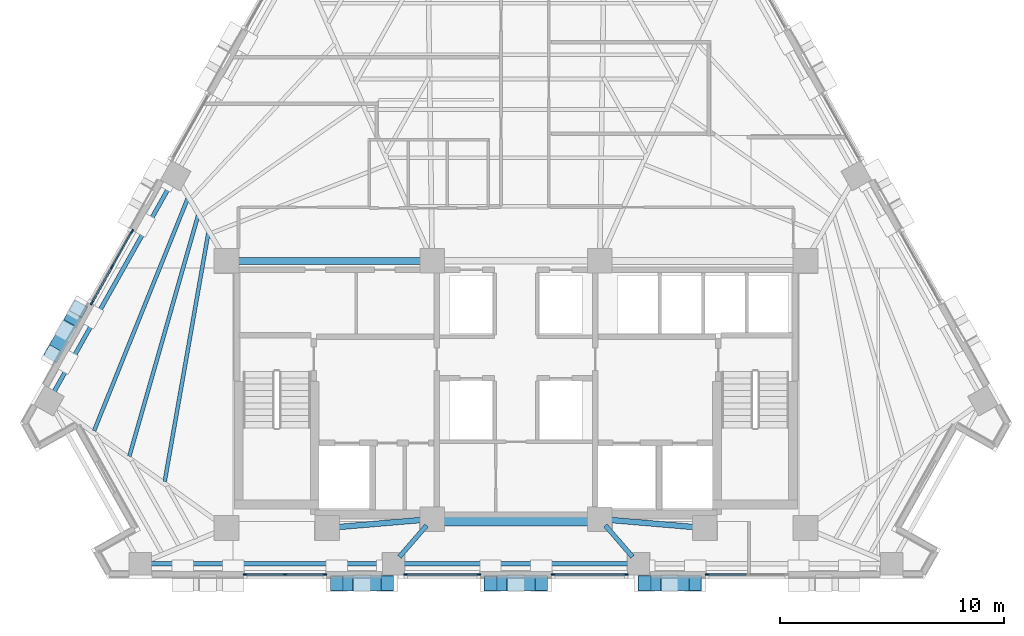
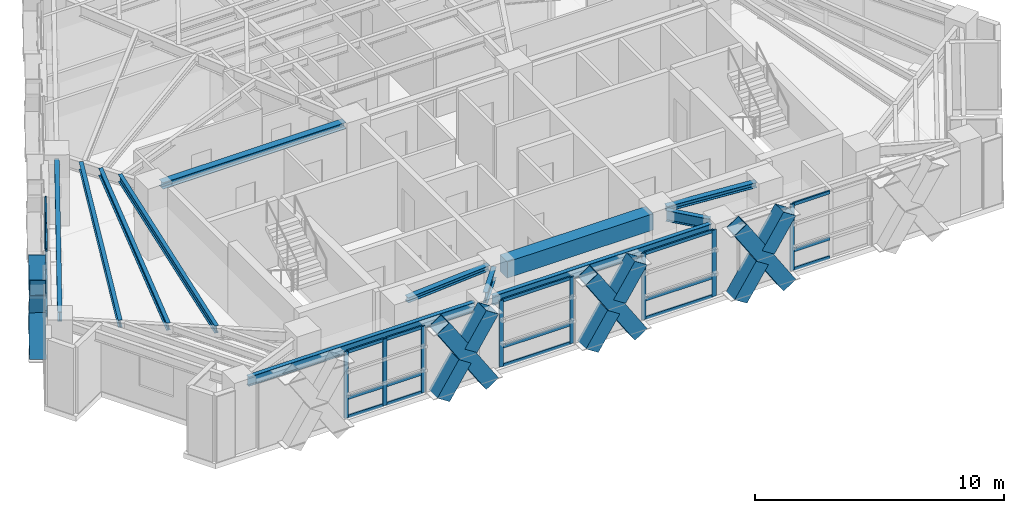
# One storey, part 2 of 14: 44 members, 12 beams, 5 elements without a shape of their own.
"""IFC4 building model written with IfcOpenShell, lengths in metres."""

from ifc_helpers import new_model, si_unit, direction, frame, origin, origin_2d, place, context, subcontext, project, spatial, rectangle, hollow_rectangle, i_section, extrude, material, material_profile, profile_set, type_object, element, aggregate, save


model = new_model("IFC4")

# Units and contexts
model_context = context("Model", 3, precision=1e-05, world=origin(), true_north=direction((0.0, 1.0)))
body_context = subcontext(model_context, "Body", "Model", "MODEL_VIEW")
ifc_project = project(units=[si_unit("LENGTHUNIT", "METRE"), si_unit("AREAUNIT", "SQUARE_METRE"), si_unit("VOLUMEUNIT", "CUBIC_METRE"), si_unit("PLANEANGLEUNIT", "RADIAN"), si_unit("MASSUNIT", "GRAM", prefix="KILO")], contexts=[model_context])

# Site, building, storey
site_placement = place(None, origin())
site = spatial("IfcSite", under=ifc_project, at=site_placement, CompositionType="ELEMENT")
building_placement = place(site_placement, origin())
building = spatial("IfcBuilding", under=site, at=building_placement, Name="Quenlor Broadcast Tower", CompositionType="ELEMENT")
storey_placement = place(building_placement, frame((0.0, 0.0, 133.5)))
storey = spatial("IfcBuildingStorey", under=building, at=storey_placement, Name="L36", CompositionType="ELEMENT", Elevation=133.5)

# Curtain wall, member
ifc_material_1 = material(Name="Architectural Terracotta and Low-E Glazing", Category="masonry")
curtain_wall_type = type_object("IfcCurtainWallType", Name="Unitised Terracotta Curtain Wall System Z3", PredefinedType="NOTDEFINED", material=ifc_material_1)
curtain_wall_1_placement = place(storey_placement, origin())
curtain_wall_1 = element("IfcCurtainWall", 1, at=curtain_wall_1_placement, inside=storey, type_object=curtain_wall_type, Name="L36 Curtain Wall CW3 (L36-SA-G1)", PredefinedType="NOTDEFINED")
ifc_material_2 = material(Name="Aluminium 6063-T6", Category="aluminium")
ifc_material_profile_1 = material_profile(ifc_material_2, rectangle(XDim=0.070068359375, YDim=0.18994140625, at=origin_2d()))
ifc_profile_set_1 = profile_set([ifc_material_profile_1], Name="Aluminium 6063-T6 MULL70x190")
member_type_1 = type_object("IfcMemberType", Name="CW3 Aluminium Mullion MULL_CW3", PredefinedType="MULLION", material=ifc_profile_set_1)
member_1_placement = place(storey_placement, frame((8.550048828125, -18.824951171875, 0.0), z_axis=(0.0, 0.0, 1.0), x_axis=(0.0, -1.0, 0.0)))
member_1 = element("IfcMember", 2, at=member_1_placement, type_object=member_type_1, Name="CW3 mullion 3", PredefinedType="MULLION", context=body_context, shape_type="SweptSolid", body=[
    extrude(rectangle(XDim=0.070068359375, YDim=0.18994140625, at=origin_2d()), origin(), (0.0, 0.0, 1.0), 3.25),
])

# Curtain wall, members
curtain_wall_2_placement = place(storey_placement, origin())
curtain_wall_2 = element("IfcCurtainWall", 3, at=curtain_wall_2_placement, inside=storey, type_object=curtain_wall_type, Name="L36 Curtain Wall CW3 (L36-SC-G1)", PredefinedType="NOTDEFINED")
member_2_placement = place(storey_placement, frame((-8.550048828125, -18.824951171875, 0.0), z_axis=(0.0, 0.0, 1.0), x_axis=(0.0, -1.0, 0.0)))
member_2 = element("IfcMember", 4, at=member_2_placement, type_object=member_type_1, Name="CW3 mullion 1", PredefinedType="MULLION", context=body_context, shape_type="SweptSolid", body=[
    extrude(rectangle(XDim=0.070068359375, YDim=0.18994140625, at=origin_2d()), origin(), (0.0, 0.0, 1.0), 3.25),
])
member_3_placement = place(storey_placement, frame((-10.33203125, -18.824951171875, 0.0), z_axis=(0.0, 0.0, 1.0), x_axis=(0.0, -1.0, 0.0)))
member_3 = element("IfcMember", 5, at=member_3_placement, type_object=member_type_1, Name="CW3 mullion 2", PredefinedType="MULLION", context=body_context, shape_type="SweptSolid", body=[
    extrude(rectangle(XDim=0.070068359375, YDim=0.18994140625, at=origin_2d()), origin(), (0.0, 0.0, 1.0), 3.25),
])
member_4_placement = place(storey_placement, frame((-12.114013671875, -18.824951171875, 0.0), z_axis=(0.0, 0.0, 1.0), x_axis=(0.0, -1.0, 0.0)))
member_4 = element("IfcMember", 6, at=member_4_placement, type_object=member_type_1, Name="CW3 mullion 3", PredefinedType="MULLION", context=body_context, shape_type="SweptSolid", body=[
    extrude(rectangle(XDim=0.070068359375, YDim=0.18994140625, at=origin_2d()), origin(), (0.0, 0.0, 1.0), 3.25),
])

curtain_wall_3_placement = place(storey_placement, origin())
curtain_wall_3 = element("IfcCurtainWall", 7, at=curtain_wall_3_placement, inside=storey, type_object=curtain_wall_type, Name="L36 Curtain Wall CW3 (L36-S-G1)", PredefinedType="NOTDEFINED")
member_5_placement = place(storey_placement, frame((4.926025390625, -18.824951171875, 0.0), z_axis=(0.0, 0.0, 1.0), x_axis=(0.0, -1.0, 0.0)))
member_5 = element("IfcMember", 8, at=member_5_placement, type_object=member_type_1, Name="CW3 mullion 1", PredefinedType="MULLION", context=body_context, shape_type="SweptSolid", body=[
    extrude(rectangle(XDim=0.070068359375, YDim=0.18994140625, at=origin_2d()), origin(), (0.0, 0.0, 1.0), 3.25),
])
member_6_placement = place(storey_placement, frame((1.662109375, -18.824951171875, 0.0), z_axis=(0.0, 0.0, 1.0), x_axis=(0.0, -1.0, 0.0)))
member_6 = element("IfcMember", 9, at=member_6_placement, type_object=member_type_1, Name="CW3 mullion 2", PredefinedType="MULLION", context=body_context, shape_type="SweptSolid", body=[
    extrude(rectangle(XDim=0.070068359375, YDim=0.18994140625, at=origin_2d()), origin(), (0.0, 0.0, 1.0), 3.25),
])

curtain_wall_4_placement = place(storey_placement, origin())
curtain_wall_4 = element("IfcCurtainWall", 10, at=curtain_wall_4_placement, inside=storey, type_object=curtain_wall_type, Name="L36 Curtain Wall CW3 (L36-S-G2)", PredefinedType="NOTDEFINED")
member_7_placement = place(storey_placement, frame((-1.662109375, -18.824951171875, 0.0), z_axis=(0.0, 0.0, 1.0), x_axis=(0.0, -1.0, 0.0)))
member_7 = element("IfcMember", 11, at=member_7_placement, type_object=member_type_1, Name="CW3 mullion 1", PredefinedType="MULLION", context=body_context, shape_type="SweptSolid", body=[
    extrude(rectangle(XDim=0.070068359375, YDim=0.18994140625, at=origin_2d()), origin(), (0.0, 0.0, 1.0), 3.25),
])
member_8_placement = place(storey_placement, frame((-4.926025390625, -18.824951171875, 0.0), z_axis=(0.0, 0.0, 1.0), x_axis=(0.0, -1.0, 0.0)))
member_8 = element("IfcMember", 12, at=member_8_placement, type_object=member_type_1, Name="CW3 mullion 2", PredefinedType="MULLION", context=body_context, shape_type="SweptSolid", body=[
    extrude(rectangle(XDim=0.070068359375, YDim=0.18994140625, at=origin_2d()), origin(), (0.0, 0.0, 1.0), 3.25),
])

curtain_wall_5_placement = place(storey_placement, origin())
curtain_wall_5 = element("IfcCurtainWall", 13, at=curtain_wall_5_placement, inside=storey, type_object=curtain_wall_type, Name="L36 Curtain Wall CW3 (L36-NWA-G1)", PredefinedType="NOTDEFINED")
member_9_placement = place(storey_placement, frame((-18.9677734375, -6.677490234375, 0.0), z_axis=(0.0, 0.0, 1.0), x_axis=(-0.871576967495, 0.490258696743, 0.0)))
member_9 = element("IfcMember", 14, at=member_9_placement, type_object=member_type_1, Name="CW3 mullion 1", PredefinedType="MULLION", context=body_context, shape_type="SweptSolid", body=[
    extrude(rectangle(XDim=0.070068359375, YDim=0.18994140625, at=origin_2d()), origin(), (0.0, 0.0, 1.0), 3.25),
])
member_10_placement = place(storey_placement, frame((-18.069580078125, -5.080810546875, 0.0), z_axis=(0.0, 0.0, 1.0), x_axis=(-0.871576967495, 0.490258696743, 0.0)))
member_10 = element("IfcMember", 15, at=member_10_placement, type_object=member_type_1, Name="CW3 mullion 2", PredefinedType="MULLION", context=body_context, shape_type="SweptSolid", body=[
    extrude(rectangle(XDim=0.070068359375, YDim=0.18994140625, at=origin_2d()), origin(), (0.0, 0.0, 1.0), 3.25),
])
member_11_placement = place(storey_placement, frame((-17.17138671875, -3.48388671875, 0.0), z_axis=(0.0, 0.0, 1.0), x_axis=(-0.871576967495, 0.490258696743, 0.0)))
member_11 = element("IfcMember", 16, at=member_11_placement, type_object=member_type_1, Name="CW3 mullion 3", PredefinedType="MULLION", context=body_context, shape_type="SweptSolid", body=[
    extrude(rectangle(XDim=0.070068359375, YDim=0.18994140625, at=origin_2d()), origin(), (0.0, 0.0, 1.0), 3.25),
])

# Member
ifc_material_3 = material(Name="Aluminium 6063-T6", Category="aluminium")
ifc_material_profile_2 = material_profile(ifc_material_3, rectangle(XDim=0.070068359375, YDim=0.155029296875, at=origin_2d()))
ifc_profile_set_2 = profile_set([ifc_material_profile_2], Name="Aluminium 6063-T6 TRAN70x155")
member_type_2 = type_object("IfcMemberType", Name="CW3 Aluminium Transom TRAN_CW3", PredefinedType="USERDEFINED", material=ifc_profile_set_2)
member_12_placement = place(storey_placement, frame((10.297119140625, -18.824951171875, 0.034912109375), z_axis=(-1.0, 0.0, 0.0), x_axis=(0.0, -1.0, 0.0)))
member_12 = element("IfcMember", 17, at=member_12_placement, type_object=member_type_2, Name="CW3 transom 2.1", ObjectType="TRANSOM", PredefinedType="USERDEFINED", context=body_context, shape_type="SweptSolid", body=[
    extrude(rectangle(XDim=0.070068359375, YDim=0.155029296875, at=origin_2d()), origin(), (0.0, 0.0, 1.0), 1.712158203125),
])

member_13_placement = place(storey_placement, frame((10.297119140625, -18.824951171875, 0.949951171875), z_axis=(-1.0, 0.0, 0.0), x_axis=(0.0, -1.0, 0.0)))
member_13 = element("IfcMember", 18, at=member_13_placement, type_object=member_type_2, Name="CW3 transom 2.2", ObjectType="TRANSOM", PredefinedType="USERDEFINED", context=body_context, shape_type="SweptSolid", body=[
    extrude(rectangle(XDim=0.070068359375, YDim=0.155029296875, at=origin_2d()), origin(), (0.0, 0.0, 1.0), 1.712158203125),
])

member_14_placement = place(storey_placement, frame((10.297119140625, -18.824951171875, 3.215087890625), z_axis=(-1.0, 0.0, 0.0), x_axis=(0.0, -1.0, 0.0)))
member_14 = element("IfcMember", 19, at=member_14_placement, type_object=member_type_2, Name="CW3 transom 2.3", ObjectType="TRANSOM", PredefinedType="USERDEFINED", context=body_context, shape_type="SweptSolid", body=[
    extrude(rectangle(XDim=0.070068359375, YDim=0.155029296875, at=origin_2d()), origin(), (0.0, 0.0, 1.0), 1.712158203125),
])

aggregate(curtain_wall_1, [member_1, member_12, member_13, member_14])

member_15_placement = place(storey_placement, frame((-8.5849609375, -18.824951171875, 0.034912109375), z_axis=(-1.0, 0.0, 0.0), x_axis=(0.0, -1.0, 0.0)))
member_15 = element("IfcMember", 20, at=member_15_placement, type_object=member_type_2, Name="CW3 transom 1.1", ObjectType="TRANSOM", PredefinedType="USERDEFINED", context=body_context, shape_type="SweptSolid", body=[
    extrude(rectangle(XDim=0.070068359375, YDim=0.155029296875, at=origin_2d()), origin(), (0.0, 0.0, 1.0), 1.712158203125),
])

member_16_placement = place(storey_placement, frame((-8.5849609375, -18.824951171875, 0.949951171875), z_axis=(-1.0, 0.0, 0.0), x_axis=(0.0, -1.0, 0.0)))
member_16 = element("IfcMember", 21, at=member_16_placement, type_object=member_type_2, Name="CW3 transom 1.2", ObjectType="TRANSOM", PredefinedType="USERDEFINED", context=body_context, shape_type="SweptSolid", body=[
    extrude(rectangle(XDim=0.070068359375, YDim=0.155029296875, at=origin_2d()), origin(), (0.0, 0.0, 1.0), 1.712158203125),
])

member_17_placement = place(storey_placement, frame((-8.5849609375, -18.824951171875, 3.215087890625), z_axis=(-1.0, 0.0, 0.0), x_axis=(0.0, -1.0, 0.0)))
member_17 = element("IfcMember", 22, at=member_17_placement, type_object=member_type_2, Name="CW3 transom 1.3", ObjectType="TRANSOM", PredefinedType="USERDEFINED", context=body_context, shape_type="SweptSolid", body=[
    extrude(rectangle(XDim=0.070068359375, YDim=0.155029296875, at=origin_2d()), origin(), (0.0, 0.0, 1.0), 1.712158203125),
])

member_18_placement = place(storey_placement, frame((-10.366943359375, -18.824951171875, 0.034912109375), z_axis=(-1.0, 0.0, 0.0), x_axis=(0.0, -1.0, 0.0)))
member_18 = element("IfcMember", 23, at=member_18_placement, type_object=member_type_2, Name="CW3 transom 2.1", ObjectType="TRANSOM", PredefinedType="USERDEFINED", context=body_context, shape_type="SweptSolid", body=[
    extrude(rectangle(XDim=0.070068359375, YDim=0.155029296875, at=origin_2d()), origin(), (0.0, 0.0, 1.0), 1.712158203125),
])

member_19_placement = place(storey_placement, frame((-10.366943359375, -18.824951171875, 0.949951171875), z_axis=(-1.0, 0.0, 0.0), x_axis=(0.0, -1.0, 0.0)))
member_19 = element("IfcMember", 24, at=member_19_placement, type_object=member_type_2, Name="CW3 transom 2.2", ObjectType="TRANSOM", PredefinedType="USERDEFINED", context=body_context, shape_type="SweptSolid", body=[
    extrude(rectangle(XDim=0.070068359375, YDim=0.155029296875, at=origin_2d()), origin(), (0.0, 0.0, 1.0), 1.712158203125),
])

member_20_placement = place(storey_placement, frame((-10.366943359375, -18.824951171875, 3.215087890625), z_axis=(-1.0, 0.0, 0.0), x_axis=(0.0, -1.0, 0.0)))
member_20 = element("IfcMember", 25, at=member_20_placement, type_object=member_type_2, Name="CW3 transom 2.3", ObjectType="TRANSOM", PredefinedType="USERDEFINED", context=body_context, shape_type="SweptSolid", body=[
    extrude(rectangle(XDim=0.070068359375, YDim=0.155029296875, at=origin_2d()), origin(), (0.0, 0.0, 1.0), 1.712158203125),
])

aggregate(curtain_wall_2, [member_2, member_3, member_4, member_15, member_16, member_17, member_18, member_19, member_20])

member_21_placement = place(storey_placement, frame((4.89111328125, -18.824951171875, 0.034912109375), z_axis=(-1.0, 0.0, 0.0), x_axis=(0.0, -1.0, 0.0)))
member_21 = element("IfcMember", 26, at=member_21_placement, type_object=member_type_2, Name="CW3 transom 1.1", ObjectType="TRANSOM", PredefinedType="USERDEFINED", context=body_context, shape_type="SweptSolid", body=[
    extrude(rectangle(XDim=0.070068359375, YDim=0.155029296875, at=origin_2d()), origin(), (0.0, 0.0, 1.0), 3.194091796875),
])

member_22_placement = place(storey_placement, frame((4.89111328125, -18.824951171875, 0.949951171875), z_axis=(-1.0, 0.0, 0.0), x_axis=(0.0, -1.0, 0.0)))
member_22 = element("IfcMember", 27, at=member_22_placement, type_object=member_type_2, Name="CW3 transom 1.2", ObjectType="TRANSOM", PredefinedType="USERDEFINED", context=body_context, shape_type="SweptSolid", body=[
    extrude(rectangle(XDim=0.070068359375, YDim=0.155029296875, at=origin_2d()), origin(), (0.0, 0.0, 1.0), 3.194091796875),
])

member_23_placement = place(storey_placement, frame((4.89111328125, -18.824951171875, 3.215087890625), z_axis=(-1.0, 0.0, 0.0), x_axis=(0.0, -1.0, 0.0)))
member_23 = element("IfcMember", 28, at=member_23_placement, type_object=member_type_2, Name="CW3 transom 1.3", ObjectType="TRANSOM", PredefinedType="USERDEFINED", context=body_context, shape_type="SweptSolid", body=[
    extrude(rectangle(XDim=0.070068359375, YDim=0.155029296875, at=origin_2d()), origin(), (0.0, 0.0, 1.0), 3.194091796875),
])

aggregate(curtain_wall_3, [member_5, member_6, member_21, member_22, member_23])

member_24_placement = place(storey_placement, frame((-1.697021484375, -18.824951171875, 0.034912109375), z_axis=(-1.0, 0.0, 0.0), x_axis=(0.0, -1.0, 0.0)))
member_24 = element("IfcMember", 29, at=member_24_placement, type_object=member_type_2, Name="CW3 transom 1.1", ObjectType="TRANSOM", PredefinedType="USERDEFINED", context=body_context, shape_type="SweptSolid", body=[
    extrude(rectangle(XDim=0.070068359375, YDim=0.155029296875, at=origin_2d()), origin(), (0.0, 0.0, 1.0), 3.194091796875),
])

member_25_placement = place(storey_placement, frame((-1.697021484375, -18.824951171875, 0.949951171875), z_axis=(-1.0, 0.0, 0.0), x_axis=(0.0, -1.0, 0.0)))
member_25 = element("IfcMember", 30, at=member_25_placement, type_object=member_type_2, Name="CW3 transom 1.2", ObjectType="TRANSOM", PredefinedType="USERDEFINED", context=body_context, shape_type="SweptSolid", body=[
    extrude(rectangle(XDim=0.070068359375, YDim=0.155029296875, at=origin_2d()), origin(), (0.0, 0.0, 1.0), 3.194091796875),
])

member_26_placement = place(storey_placement, frame((-1.697021484375, -18.824951171875, 3.215087890625), z_axis=(-1.0, 0.0, 0.0), x_axis=(0.0, -1.0, 0.0)))
member_26 = element("IfcMember", 31, at=member_26_placement, type_object=member_type_2, Name="CW3 transom 1.3", ObjectType="TRANSOM", PredefinedType="USERDEFINED", context=body_context, shape_type="SweptSolid", body=[
    extrude(rectangle(XDim=0.070068359375, YDim=0.155029296875, at=origin_2d()), origin(), (0.0, 0.0, 1.0), 3.194091796875),
])

aggregate(curtain_wall_4, [member_7, member_8, member_24, member_25, member_26])

member_27_placement = place(storey_placement, frame((-18.95068359375, -6.64697265625, 0.034912109375), z_axis=(0.490188879637, 0.871616235668, 0.0), x_axis=(-0.871616235668, 0.490188879637, 0.0)))
member_27 = element("IfcMember", 32, at=member_27_placement, type_object=member_type_2, Name="CW3 transom 1.1", ObjectType="TRANSOM", PredefinedType="USERDEFINED", context=body_context, shape_type="SweptSolid", body=[
    extrude(rectangle(XDim=0.070068359375, YDim=0.155029296875, at=origin_2d()), origin(), (0.0, 0.0, 1.0), 1.76220703125),
])

member_28_placement = place(storey_placement, frame((-18.95068359375, -6.64697265625, 0.949951171875), z_axis=(0.490188879637, 0.871616235668, 0.0), x_axis=(-0.871616235668, 0.490188879637, 0.0)))
member_28 = element("IfcMember", 33, at=member_28_placement, type_object=member_type_2, Name="CW3 transom 1.2", ObjectType="TRANSOM", PredefinedType="USERDEFINED", context=body_context, shape_type="SweptSolid", body=[
    extrude(rectangle(XDim=0.070068359375, YDim=0.155029296875, at=origin_2d()), origin(), (0.0, 0.0, 1.0), 1.76220703125),
])

member_29_placement = place(storey_placement, frame((-18.95068359375, -6.64697265625, 3.215087890625), z_axis=(0.490188879637, 0.871616235668, 0.0), x_axis=(-0.871616235668, 0.490188879637, 0.0)))
member_29 = element("IfcMember", 34, at=member_29_placement, type_object=member_type_2, Name="CW3 transom 1.3", ObjectType="TRANSOM", PredefinedType="USERDEFINED", context=body_context, shape_type="SweptSolid", body=[
    extrude(rectangle(XDim=0.070068359375, YDim=0.155029296875, at=origin_2d()), origin(), (0.0, 0.0, 1.0), 1.76220703125),
])

member_30_placement = place(storey_placement, frame((-18.052490234375, -5.05029296875, 0.034912109375), z_axis=(0.490188879637, 0.871616235668, 0.0), x_axis=(-0.871616235668, 0.490188879637, 0.0)))
member_30 = element("IfcMember", 35, at=member_30_placement, type_object=member_type_2, Name="CW3 transom 2.1", ObjectType="TRANSOM", PredefinedType="USERDEFINED", context=body_context, shape_type="SweptSolid", body=[
    extrude(rectangle(XDim=0.070068359375, YDim=0.155029296875, at=origin_2d()), origin(), (0.0, 0.0, 1.0), 1.76220703125),
])

member_31_placement = place(storey_placement, frame((-18.052490234375, -5.05029296875, 0.949951171875), z_axis=(0.490188879637, 0.871616235668, 0.0), x_axis=(-0.871616235668, 0.490188879637, 0.0)))
member_31 = element("IfcMember", 36, at=member_31_placement, type_object=member_type_2, Name="CW3 transom 2.2", ObjectType="TRANSOM", PredefinedType="USERDEFINED", context=body_context, shape_type="SweptSolid", body=[
    extrude(rectangle(XDim=0.070068359375, YDim=0.155029296875, at=origin_2d()), origin(), (0.0, 0.0, 1.0), 1.76220703125),
])

member_32_placement = place(storey_placement, frame((-18.052490234375, -5.05029296875, 3.215087890625), z_axis=(0.490188879637, 0.871616235668, 0.0), x_axis=(-0.871616235668, 0.490188879637, 0.0)))
member_32 = element("IfcMember", 37, at=member_32_placement, type_object=member_type_2, Name="CW3 transom 2.3", ObjectType="TRANSOM", PredefinedType="USERDEFINED", context=body_context, shape_type="SweptSolid", body=[
    extrude(rectangle(XDim=0.070068359375, YDim=0.155029296875, at=origin_2d()), origin(), (0.0, 0.0, 1.0), 1.76220703125),
])

aggregate(curtain_wall_5, [member_9, member_10, member_11, member_27, member_28, member_29, member_30, member_31, member_32])

# Beams
ifc_material_4 = material(Name="Concrete C50/60", Category="concrete")
ifc_material_profile_3 = material_profile(ifc_material_4, rectangle(XDim=0.60009765625, YDim=0.800048828125, at=origin_2d()))
ifc_profile_set_3 = profile_set([ifc_material_profile_3], Name="Concrete C50/60 RCB600x800")
beam_type_1 = type_object("IfcBeamType", Name="Core Coupling Beam Concrete C50/60 600x800", PredefinedType="BEAM", material=ifc_profile_set_3)
beam_1_placement = place(storey_placement, frame((-3.389892578125, -16.35009765625, 2.85009765625), z_axis=(1.0, 0.0, 0.0), x_axis=(0.0, 1.0, 0.0)))
element("IfcBeam", 38, at=beam_1_placement, inside=storey, type_object=beam_type_1, Name="L36 Core Coupling Beam 6", PredefinedType="BEAM", context=body_context, shape_type="SweptSolid", body=[
    extrude(rectangle(XDim=0.60009765625, YDim=0.800048828125, at=origin_2d()), origin(), (0.0, 0.0, 1.0), 6.77978515625),
])
ifc_material_5 = material(Name="Steel S355", Category="steel")
ifc_material_profile_4 = material_profile(ifc_material_5, i_section(OverallWidth=0.25390625, OverallDepth=0.25390625, WebThickness=0.008544921875, FlangeThickness=0.01416015625, FilletRadius=0.013916015625, at=origin_2d()))
ifc_profile_set_4 = profile_set([ifc_material_profile_4], Name="Steel S355 250UC72.9")
beam_type_2 = type_object("IfcBeamType", Name="Core Opening Lintel Beam Steel S355 250UC72.9", PredefinedType="LINTEL", material=ifc_profile_set_4)
for number, where, z_axis, x_axis, name in (
    (39, (-8.09130859375, -16.719482421875, 3.123046875), (0.996399763903, 0.084779186679, 0.0), (-0.084779186679, 0.996399763903, 0.0), "L36 Core Opening Lintel Beam 4"),
    (40, (4.108642578125, -16.380615234375, 3.123046875), (0.996399763903, -0.084779186679, 0.0), (0.084779186679, 0.996399763903, 0.0), "L36 Core Opening Lintel Beam 5"),
):
    element("IfcBeam", number, at=place(storey_placement, frame(where, z_axis=z_axis, x_axis=x_axis)), inside=storey, type_object=beam_type_2, Name=name, PredefinedType="LINTEL", context=body_context, shape_type="SweptSolid", body=[
        extrude(i_section(OverallWidth=0.25390625, OverallDepth=0.25390625, WebThickness=0.008544921875, FlangeThickness=0.01416015625, FilletRadius=0.013916015625, at=origin_2d()), origin(), (0.0, 0.0, 1.0), 3.9970703125),
    ])
ifc_material_6 = material(Name="Steel S355", Category="steel")
ifc_material_profile_5 = material_profile(ifc_material_6, i_section(OverallWidth=0.306884765625, OverallDepth=0.314697265625, WebThickness=0.011962890625, FlangeThickness=0.018798828125, FilletRadius=0.0166015625, at=origin_2d()))
ifc_profile_set_5 = profile_set([ifc_material_profile_5], Name="Steel S355 310UC118")
beam_type_3 = type_object("IfcBeamType", Name="Core Tie Beam Steel S355 310UC118", PredefinedType="BEAM", material=ifc_profile_set_5)
beam_2_placement = place(storey_placement, frame((-12.590087890625, -4.800048828125, 3.0927734375), z_axis=(1.0, 0.0, 0.0), x_axis=(0.0, 1.0, 0.0)))
element("IfcBeam", 41, at=beam_2_placement, inside=storey, type_object=beam_type_3, Name="L36 Core Tie Beam 1", PredefinedType="BEAM", context=body_context, shape_type="SweptSolid", body=[
    extrude(i_section(OverallWidth=0.306884765625, OverallDepth=0.314697265625, WebThickness=0.011962890625, FlangeThickness=0.018798828125, FilletRadius=0.0166015625, at=origin_2d()), origin(), (0.0, 0.0, 1.0), 8.47998046875),
])

# Members
ifc_material_7 = material(Name="Steel S355", Category="steel")
ifc_material_profile_6 = material_profile(ifc_material_7, hollow_rectangle(XDim=0.679931640625, YDim=0.679931640625, WallThickness=0.02490234375, at=origin_2d()))
ifc_profile_set_6 = profile_set([ifc_material_profile_6], Name="Steel S355 RHS680x680x25")
member_type_3 = type_object("IfcMemberType", Name="Perimeter Diagonal Lattice Brace Z3-Z4 Steel S355 RHS680x25", PredefinedType="BRACE", material=ifc_profile_set_6)
member_33_placement = place(storey_placement, frame((8.022216796875, -19.219970703125, -0.1201171875), z_axis=(-0.543860340502, 0.0, 0.839175744424), x_axis=(0.0, -1.0, 0.0)))
element("IfcMember", 42, at=member_33_placement, inside=storey, type_object=member_type_3, Name="L36 Perimeter Diamond Lattice S-C2XA", PredefinedType="BRACE", context=body_context, shape_type="SweptSolid", body=[
    extrude(hollow_rectangle(XDim=0.679931640625, YDim=0.679931640625, WallThickness=0.02490234375, at=origin_2d()), origin(), (0.0, 0.0, 1.0), 4.170654296875),
])
member_34_placement = place(storey_placement, frame((5.75390625, -19.219970703125, -0.1201171875), z_axis=(0.543786168213, 0.0, 0.839223809994), x_axis=(0.0, 1.0, 0.0)))
element("IfcMember", 43, at=member_34_placement, inside=storey, type_object=member_type_3, Name="L36 Perimeter Diamond Lattice S-C2XB1", PredefinedType="BRACE", context=body_context, shape_type="SweptSolid", body=[
    extrude(hollow_rectangle(XDim=0.679931640625, YDim=0.679931640625, WallThickness=0.02490234375, at=origin_2d()), origin(), (0.0, 0.0, 1.0), 1.83544921875),
])
member_35_placement = place(storey_placement, frame((7.02392578125, -19.219970703125, 1.83984375), z_axis=(0.543940555506, 0.0, 0.839123752539), x_axis=(0.0, 1.0, 0.0)))
element("IfcMember", 44, at=member_35_placement, inside=storey, type_object=member_type_3, Name="L36 Perimeter Diamond Lattice S-C2XB2", PredefinedType="BRACE", context=body_context, shape_type="SweptSolid", body=[
    extrude(hollow_rectangle(XDim=0.679931640625, YDim=0.679931640625, WallThickness=0.02490234375, at=origin_2d()), origin(), (0.0, 0.0, 1.0), 1.835205078125),
])
member_36_placement = place(storey_placement, frame((1.13427734375, -19.219970703125, -0.1201171875), z_axis=(-0.543901560697, 0.0, 0.839149028643), x_axis=(0.0, -1.0, 0.0)))
element("IfcMember", 45, at=member_36_placement, inside=storey, type_object=member_type_3, Name="L36 Perimeter Diamond Lattice S-C3XA", PredefinedType="BRACE", context=body_context, shape_type="SweptSolid", body=[
    extrude(hollow_rectangle(XDim=0.679931640625, YDim=0.679931640625, WallThickness=0.02490234375, at=origin_2d()), origin(), (0.0, 0.0, 1.0), 4.1708984375),
])
member_37_placement = place(storey_placement, frame((-1.13427734375, -19.219970703125, -0.1201171875), z_axis=(0.543879843653, 0.0, 0.83916310433), x_axis=(0.0, 1.0, 0.0)))
element("IfcMember", 46, at=member_37_placement, inside=storey, type_object=member_type_3, Name="L36 Perimeter Diamond Lattice S-C3XB1", PredefinedType="BRACE", context=body_context, shape_type="SweptSolid", body=[
    extrude(hollow_rectangle(XDim=0.679931640625, YDim=0.679931640625, WallThickness=0.02490234375, at=origin_2d()), origin(), (0.0, 0.0, 1.0), 1.83544921875),
])
member_38_placement = place(storey_placement, frame((0.135986328125, -19.219970703125, 1.83984375), z_axis=(0.543940555506, 0.0, 0.839123752539), x_axis=(0.0, 1.0, 0.0)))
element("IfcMember", 47, at=member_38_placement, inside=storey, type_object=member_type_3, Name="L36 Perimeter Diamond Lattice S-C3XB2", PredefinedType="BRACE", context=body_context, shape_type="SweptSolid", body=[
    extrude(hollow_rectangle(XDim=0.679931640625, YDim=0.679931640625, WallThickness=0.02490234375, at=origin_2d()), origin(), (0.0, 0.0, 1.0), 1.835205078125),
])
member_39_placement = place(storey_placement, frame((-5.75390625, -19.219970703125, -0.1201171875), z_axis=(-0.543860340502, 0.0, 0.839175744424), x_axis=(0.0, -1.0, 0.0)))
element("IfcMember", 48, at=member_39_placement, inside=storey, type_object=member_type_3, Name="L36 Perimeter Diamond Lattice S-C4XA", PredefinedType="BRACE", context=body_context, shape_type="SweptSolid", body=[
    extrude(hollow_rectangle(XDim=0.679931640625, YDim=0.679931640625, WallThickness=0.02490234375, at=origin_2d()), origin(), (0.0, 0.0, 1.0), 4.170654296875),
])
member_40_placement = place(storey_placement, frame((-8.022216796875, -19.219970703125, -0.1201171875), z_axis=(0.543879843653, 0.0, 0.83916310433), x_axis=(0.0, 1.0, 0.0)))
element("IfcMember", 49, at=member_40_placement, inside=storey, type_object=member_type_3, Name="L36 Perimeter Diamond Lattice S-C4XB1", PredefinedType="BRACE", context=body_context, shape_type="SweptSolid", body=[
    extrude(hollow_rectangle(XDim=0.679931640625, YDim=0.679931640625, WallThickness=0.02490234375, at=origin_2d()), origin(), (0.0, 0.0, 1.0), 1.83544921875),
])
member_41_placement = place(storey_placement, frame((-6.751953125, -19.219970703125, 1.83984375), z_axis=(0.543846878394, 0.0, 0.839184468911), x_axis=(0.0, 1.0, 0.0)))
element("IfcMember", 50, at=member_41_placement, inside=storey, type_object=member_type_3, Name="L36 Perimeter Diamond Lattice S-C4XB2", PredefinedType="BRACE", context=body_context, shape_type="SweptSolid", body=[
    extrude(hollow_rectangle(XDim=0.679931640625, YDim=0.679931640625, WallThickness=0.02490234375, at=origin_2d()), origin(), (0.0, 0.0, 1.0), 1.835205078125),
])
member_42_placement = place(storey_placement, frame((-20.705810546875, -8.96142578125, -0.1201171875), z_axis=(0.2705491942, 0.481008661973, 0.833926735766), x_axis=(-0.871589611547, 0.490236217596, 0.0)))
element("IfcMember", 51, at=member_42_placement, inside=storey, type_object=member_type_3, Name="L36 Perimeter Diamond Lattice NW-C1XA", PredefinedType="BRACE", context=body_context, shape_type="SweptSolid", body=[
    extrude(hollow_rectangle(XDim=0.679931640625, YDim=0.679931640625, WallThickness=0.02490234375, at=origin_2d()), origin(), (0.0, 0.0, 1.0), 4.197021484375),
])
member_43_placement = place(storey_placement, frame((-19.5703125, -6.942626953125, -0.1201171875), z_axis=(-0.270494026149, -0.481025021111, 0.833935195853), x_axis=(0.871639445711, -0.490147607034, 0.0)))
element("IfcMember", 52, at=member_43_placement, inside=storey, type_object=member_type_3, Name="L36 Perimeter Diamond Lattice NW-C1XB1", PredefinedType="BRACE", context=body_context, shape_type="SweptSolid", body=[
    extrude(hollow_rectangle(XDim=0.679931640625, YDim=0.679931640625, WallThickness=0.02490234375, at=origin_2d()), origin(), (0.0, 0.0, 1.0), 1.848388671875),
])
member_44_placement = place(storey_placement, frame((-20.20556640625, -8.072265625, 1.83837890625), z_axis=(-0.270616433058, -0.481007832697, 0.833905396938), x_axis=(0.871537189362, -0.490329407194, 0.0)))
element("IfcMember", 53, at=member_44_placement, inside=storey, type_object=member_type_3, Name="L36 Perimeter Diamond Lattice NW-C1XB2", PredefinedType="BRACE", context=body_context, shape_type="SweptSolid", body=[
    extrude(hollow_rectangle(XDim=0.679931640625, YDim=0.679931640625, WallThickness=0.02490234375, at=origin_2d()), origin(), (0.0, 0.0, 1.0), 1.8486328125),
])

# Beams
ifc_material_8 = material(Name="Steel S355", Category="steel")
ifc_material_profile_7 = material_profile(ifc_material_8, i_section(OverallWidth=0.19091796875, OverallDepth=0.46044921875, WebThickness=0.010009765625, FlangeThickness=0.01611328125, FilletRadius=0.011474609375, at=origin_2d()))
ifc_profile_set_7 = profile_set([ifc_material_profile_7], Name="Steel S355 460UB82.1")
beam_type_4 = type_object("IfcBeamType", Name="Perimeter Spandrel Beam Z3 Steel S355 460UB82.1", PredefinedType="SPANDREL", material=ifc_profile_set_7)
beam_3_placement = place(storey_placement, frame((-16.3984375, -18.35009765625, 3.019775390625), z_axis=(1.0, 0.0, 0.0), x_axis=(0.0, 1.0, 0.0)))
element("IfcBeam", 54, at=beam_3_placement, inside=storey, type_object=beam_type_4, Name="L36 Spandrel Beam S1-S2", PredefinedType="SPANDREL", context=body_context, shape_type="SweptSolid", body=[
    extrude(i_section(OverallWidth=0.19091796875, OverallDepth=0.46044921875, WebThickness=0.010009765625, FlangeThickness=0.01611328125, FilletRadius=0.011474609375, at=origin_2d()), origin(), (0.0, 0.0, 1.0), 10.50732421875),
])
beam_4_placement = place(storey_placement, frame((-5.071044921875, -18.35009765625, 3.019775390625), z_axis=(1.0, 0.0, 0.0), x_axis=(0.0, 1.0, 0.0)))
element("IfcBeam", 55, at=beam_4_placement, inside=storey, type_object=beam_type_4, Name="L36 Spandrel Beam S2-S3", PredefinedType="SPANDREL", context=body_context, shape_type="SweptSolid", body=[
    extrude(i_section(OverallWidth=0.19091796875, OverallDepth=0.46044921875, WebThickness=0.010009765625, FlangeThickness=0.01611328125, FilletRadius=0.011474609375, at=origin_2d()), origin(), (0.0, 0.0, 1.0), 10.14208984375),
])
beam_5_placement = place(storey_placement, frame((-15.425048828125, -1.347900390625, 3.019775390625), z_axis=(-0.490257999604, -0.871577359633, 0.0), x_axis=(0.871577359633, -0.490257999604, 0.0)))
element("IfcBeam", 56, at=beam_5_placement, inside=storey, type_object=beam_type_4, Name="L36 Spandrel Beam NW3-NW4", PredefinedType="SPANDREL", context=body_context, shape_type="SweptSolid", body=[
    extrude(i_section(OverallWidth=0.19091796875, OverallDepth=0.46044921875, WebThickness=0.010009765625, FlangeThickness=0.01611328125, FilletRadius=0.011474609375, at=origin_2d()), origin(), (0.0, 0.0, 1.0), 10.732666015625),
])
ifc_material_9 = material(Name="Steel S355", Category="steel")
ifc_material_profile_8 = material_profile(ifc_material_9, i_section(OverallWidth=0.172119140625, OverallDepth=0.358642578125, WebThickness=0.008056640625, FlangeThickness=0.012939453125, FilletRadius=0.011474609375, at=origin_2d()))
ifc_profile_set_8 = profile_set([ifc_material_profile_8], Name="Steel S355 360UB56.7")
beam_type_5 = type_object("IfcBeamType", Name="Tower Composite Joist Z2-Z3 Steel S355 360UB56.7", PredefinedType="JOIST", material=ifc_profile_set_8)
beam_6_placement = place(storey_placement, frame((-15.71435546875, -14.679443359375, 3.07080078125), z_axis=(0.172906811417, 0.984938188195, 0.0), x_axis=(-0.984938188195, 0.172906811417, 0.0)))
element("IfcBeam", 57, at=beam_6_placement, inside=storey, type_object=beam_type_5, Name="L36 Secondary Composite Joist 13", PredefinedType="JOIST", context=body_context, shape_type="SweptSolid", body=[
    extrude(i_section(OverallWidth=0.172119140625, OverallDepth=0.358642578125, WebThickness=0.008056640625, FlangeThickness=0.012939453125, FilletRadius=0.011474609375, at=origin_2d()), origin(), (0.0, 0.0, 1.0), 11.30419921875),
])
beam_7_placement = place(storey_placement, frame((-17.293701171875, -13.543212890625, 3.07080078125), z_axis=(0.274418577045, 0.961610339261, 0.0), x_axis=(-0.961610339261, 0.274418577045, 0.0)))
element("IfcBeam", 58, at=beam_7_placement, inside=storey, type_object=beam_type_5, Name="L36 Secondary Composite Joist 14", PredefinedType="JOIST", context=body_context, shape_type="SweptSolid", body=[
    extrude(i_section(OverallWidth=0.172119140625, OverallDepth=0.358642578125, WebThickness=0.008056640625, FlangeThickness=0.012939453125, FilletRadius=0.011474609375, at=origin_2d()), origin(), (0.0, 0.0, 1.0), 11.191162109375),
])
beam_8_placement = place(storey_placement, frame((-18.873291015625, -12.407958984375, 3.07080078125), z_axis=(0.373824118901, 0.927499610851, 0.0), x_axis=(-0.927499610851, 0.373824118901, 0.0)))
element("IfcBeam", 59, at=beam_8_placement, inside=storey, type_object=beam_type_5, Name="L36 Secondary Composite Joist 15", PredefinedType="JOIST", context=body_context, shape_type="SweptSolid", body=[
    extrude(i_section(OverallWidth=0.172119140625, OverallDepth=0.358642578125, WebThickness=0.008056640625, FlangeThickness=0.012939453125, FilletRadius=0.011474609375, at=origin_2d()), origin(), (0.0, 0.0, 1.0), 11.203125),
])
ifc_material_10 = material(Name="Steel S355", Category="steel")
ifc_material_profile_9 = material_profile(ifc_material_10, i_section(OverallWidth=0.208984375, OverallDepth=0.532958984375, WebThickness=0.01025390625, FlangeThickness=0.015625, FilletRadius=0.013916015625, at=origin_2d()))
ifc_profile_set_9 = profile_set([ifc_material_profile_9], Name="Steel S355 530UB92.4")
beam_type_6 = type_object("IfcBeamType", Name="Tower Primary Floor Beam Z3 Steel S355 530UB92.4", PredefinedType="BEAM", material=ifc_profile_set_9)
for number, where, z_axis, x_axis, name in (
    (60, (-5.212646484375, -18.0400390625, 2.9833984375), (0.654339118401, 0.75620124182, 0.0), (-0.75620124182, 0.654339118401, 0.0), "L36 Primary Radial Beam S2"),
    (61, (5.212646484375, -18.0400390625, 2.9833984375), (-0.654339118401, 0.75620124182, 0.0), (-0.75620124182, -0.654339118401, 0.0), "L36 Primary Radial Beam S3"),
):
    element("IfcBeam", number, at=place(storey_placement, frame(where, z_axis=z_axis, x_axis=x_axis)), inside=storey, type_object=beam_type_6, Name=name, PredefinedType="BEAM", context=body_context, shape_type="SweptSolid", body=[
        extrude(i_section(OverallWidth=0.208984375, OverallDepth=0.532958984375, WebThickness=0.01025390625, FlangeThickness=0.015625, FilletRadius=0.013916015625, at=origin_2d()), origin(), (0.0, 0.0, 1.0), 1.855224609375),
    ])

save(model, "model.ifc")
